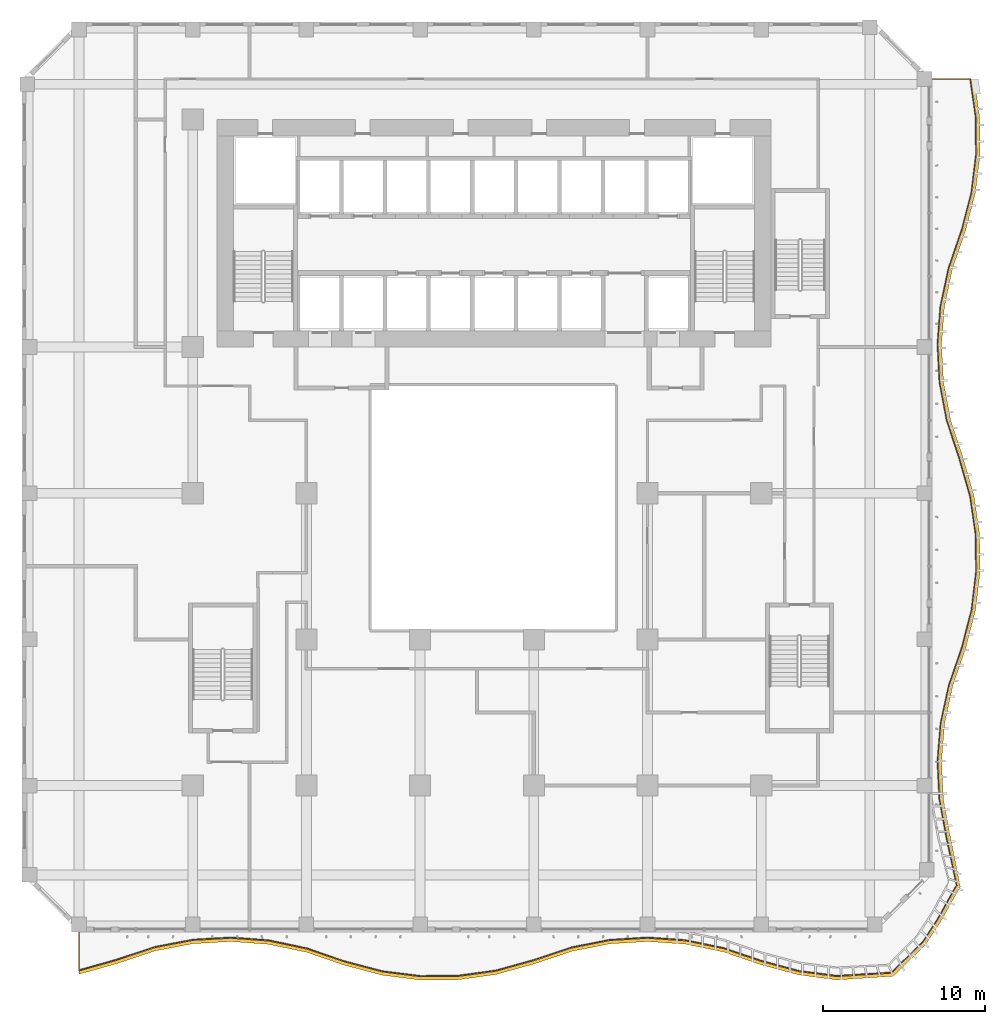
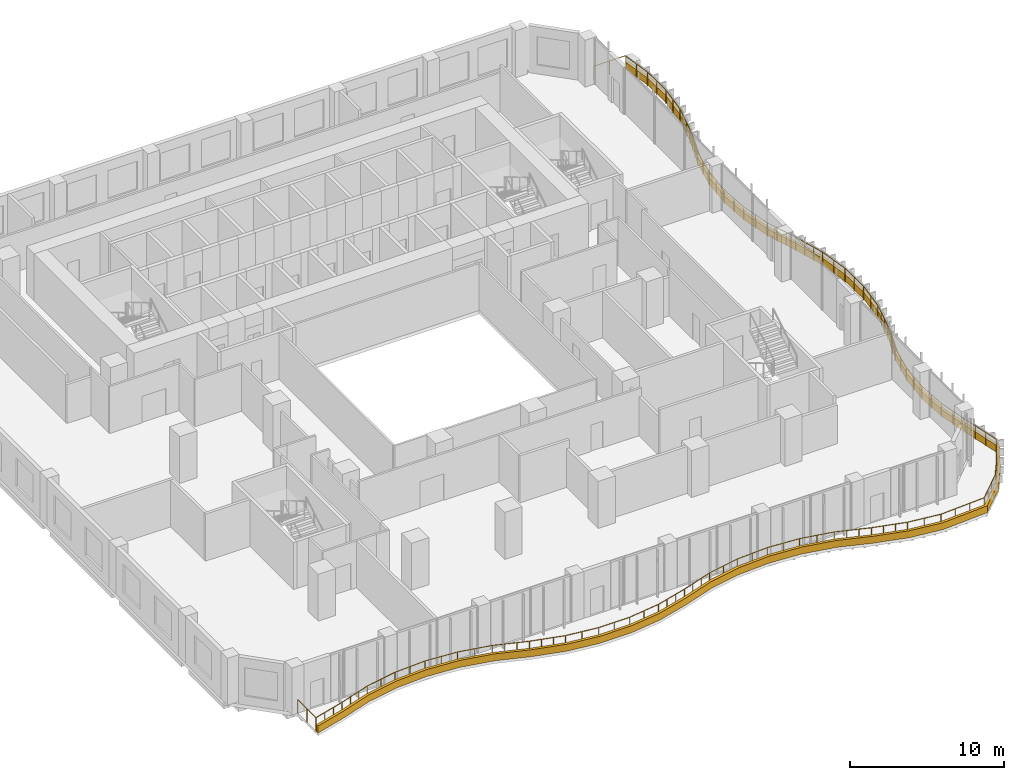
# One storey, part 20 of 26: 1 railing, 1 shading device.
"""IFC4 building model written with IfcOpenShell, lengths in metres."""

from ifc_helpers import new_model, si_unit, direction, frame, origin, origin_2d, place, context, subcontext, project, spatial, polyline, circle, outline, extrude, source, transform, mapped, material, layer, layer_set, type_object, element, save


model = new_model("IFC4")

# Units and contexts
model_context = context("Model", 3, precision=1e-05, world=origin(), true_north=direction((0.0, 1.0)))
body_context = subcontext(model_context, "Body", "Model", "MODEL_VIEW")
ifc_project = project(units=[si_unit("LENGTHUNIT", "METRE"), si_unit("AREAUNIT", "SQUARE_METRE"), si_unit("VOLUMEUNIT", "CUBIC_METRE"), si_unit("PLANEANGLEUNIT", "RADIAN"), si_unit("MASSUNIT", "GRAM", prefix="KILO")], contexts=[model_context])

# Site, building, storey
site_placement = place(None, origin())
site = spatial("IfcSite", under=ifc_project, at=site_placement, CompositionType="ELEMENT")
building_placement = place(site_placement, origin())
building = spatial("IfcBuilding", under=site, at=building_placement, Name="Kilnfold Tower and Market Hall", CompositionType="ELEMENT")
storey_placement = place(building_placement, frame((0.0, 0.0, 31.0)))
storey = spatial("IfcBuildingStorey", under=building, at=storey_placement, Name="L06", CompositionType="ELEMENT", Elevation=31.0)

# Railing
ifc_material_1 = material(Name="Stainless steel and laminated glass", Category="steel")
railing_type = type_object("IfcRailingType", Name="GUARD 1100", PredefinedType="GUARDRAIL", material=ifc_material_1)
railing_placement = place(storey_placement, frame((-24.5, -28.0, 0.0)))
element("IfcRailing", 1, at=railing_placement, inside=storey, type_object=railing_type, Name="Guard balcony L06", PredefinedType="GUARDRAIL", context=body_context, shape_type="SweptSolid", body=[
    extrude(circle(Radius=0.02490234375, at=origin_2d()), frame((0.0, 0.0, 1.0751953125), z_axis=(0.0, -1.0, 0.0), x_axis=(1.0, 0.0, 0.0)), (0.0, 0.0, 1.0), 2.3671875),
    extrude(circle(Radius=0.02490234375, at=origin_2d()), frame((0.0, -2.3671875, 1.0751953125), z_axis=(0.962306538751, 0.271967140438, 0.0), x_axis=(-0.271967140438, 0.962306538751, 0.0)), (0.0, 0.0, 1.0), 2.424560546875),
    extrude(circle(Radius=0.02490234375, at=origin_2d()), frame((2.333251953125, -1.707763671875, 1.0751953125), z_axis=(0.94906984056, 0.315065767325, 0.0), x_axis=(-0.315065767325, 0.94906984056, 0.0)), (0.0, 0.0, 1.0), 2.458740234375),
    extrude(circle(Radius=0.02490234375, at=origin_2d()), frame((4.666748046875, -0.93310546875, 1.0751953125), z_axis=(0.982061375955, 0.18856153865, 0.0), x_axis=(-0.18856153865, 0.982061375955, 0.0)), (0.0, 0.0, 1.0), 2.3759765625),
    extrude(circle(Radius=0.02490234375, at=origin_2d()), frame((7.0, -0.485107421875, 1.0751953125), z_axis=(0.99834213569, 0.057558492913, 0.0), x_axis=(-0.057558492913, 0.99834213569, 0.0)), (0.0, 0.0, 1.0), 2.337158203125),
    extrude(circle(Radius=0.02490234375, at=origin_2d()), frame((9.333251953125, -0.3505859375, 1.0751953125), z_axis=(0.997298415434, -0.073456589712, 0.0), x_axis=(0.073456589712, 0.997298415434, 0.0)), (0.0, 0.0, 1.0), 2.33984375),
    extrude(circle(Radius=0.02490234375, at=origin_2d()), frame((11.666748046875, -0.5224609375, 1.0751953125), z_axis=(0.978878895957, -0.204440962261, 0.0), x_axis=(0.204440962261, 0.978878895957, 0.0)), (0.0, 0.0, 1.0), 2.383544921875),
    extrude(circle(Radius=0.02490234375, at=origin_2d()), frame((14.0, -1.009765625, 1.0751953125), z_axis=(0.946391210256, -0.323022719248, 0.0), x_axis=(0.323022719248, 0.946391210256, 0.0)), (0.0, 0.0, 1.0), 2.46533203125),
    extrude(circle(Radius=0.02490234375, at=origin_2d()), frame((16.333251953125, -1.80615234375, 1.0751953125), z_axis=(0.966656645612, -0.25607602288, 0.0), x_axis=(0.25607602288, 0.966656645612, 0.0)), (0.0, 0.0, 1.0), 2.4140625),
    extrude(circle(Radius=0.02490234375, at=origin_2d()), frame((18.666748046875, -2.42431640625, 1.0751953125), z_axis=(0.992144748276, -0.125095157651, 0.0), x_axis=(0.125095157651, 0.992144748276, 0.0)), (0.0, 0.0, 1.0), 2.351806640625),
    extrude(circle(Radius=0.02490234375, at=origin_2d()), frame((21.0, -2.718505859375, 1.0751953125), z_axis=(0.999982214546, 0.005964108635, 0.0), x_axis=(-0.005964108635, 0.999982214546, 0.0)), (0.0, 0.0, 1.0), 2.333251953125),
    extrude(circle(Radius=0.02490234375, at=origin_2d()), frame((23.333251953125, -2.70458984375, 1.0751953125), z_axis=(0.990583845196, 0.136907434558, 0.0), x_axis=(-0.136907434558, 0.990583845196, 0.0)), (0.0, 0.0, 1.0), 2.355712890625),
    extrude(circle(Radius=0.02490234375, at=origin_2d()), frame((25.666748046875, -2.382080078125, 1.0751953125), z_axis=(0.963406621709, 0.268044177789, 0.0), x_axis=(-0.268044177789, 0.963406621709, 0.0)), (0.0, 0.0, 1.0), 2.421875),
    extrude(circle(Radius=0.02490234375, at=origin_2d()), frame((28.0, -1.73291015625, 1.0751953125), z_axis=(0.948285654044, 0.317418207313, 0.0), x_axis=(-0.317418207313, 0.948285654044, 0.0)), (0.0, 0.0, 1.0), 2.46044921875),
    extrude(circle(Radius=0.02490234375, at=origin_2d()), frame((30.333251953125, -0.951904296875, 1.0751953125), z_axis=(0.981277242242, 0.192600555184, 0.0), x_axis=(-0.192600555184, 0.981277242242, 0.0)), (0.0, 0.0, 1.0), 2.3779296875),
    extrude(circle(Radius=0.02490234375, at=origin_2d()), frame((32.666748046875, -0.493896484375, 1.0751953125), z_axis=(0.998106251115, 0.06151350653, 0.0), x_axis=(-0.06151350653, 0.998106251115, 0.0)), (0.0, 0.0, 1.0), 2.337646484375),
    extrude(circle(Radius=0.02490234375, at=origin_2d()), frame((35.0, -0.35009765625, 1.0751953125), z_axis=(0.997580659458, -0.069518543392, 0.0), x_axis=(0.069518543392, 0.997580659458, 0.0)), (0.0, 0.0, 1.0), 2.3388671875),
    extrude(circle(Radius=0.02490234375, at=origin_2d()), frame((37.333251953125, -0.5126953125, 1.0751953125), z_axis=(0.979715847017, -0.200391764063, 0.0), x_axis=(0.200391764063, 0.979715847017, 0.0)), (0.0, 0.0, 1.0), 2.3818359375),
    extrude(circle(Radius=0.02490234375, at=origin_2d()), frame((39.666748046875, -0.989990234375, 1.0751953125), z_axis=(0.94693508606, -0.321424863365, 0.0), x_axis=(0.321424863365, 0.94693508606, 0.0)), (0.0, 0.0, 1.0), 2.464111328125),
    extrude(circle(Radius=0.02490234375, at=origin_2d()), frame((42.0, -1.781982421875, 1.0751953125), z_axis=(0.965591366517, -0.260064055395, 0.0), x_axis=(0.260064055395, 0.965591366517, 0.0)), (0.0, 0.0, 1.0), 2.41650390625),
    extrude(circle(Radius=0.02490234375, at=origin_2d()), frame((44.333251953125, -2.410400390625, 1.0751953125), z_axis=(0.991636241788, -0.129064185476, 0.0), x_axis=(0.129064185476, 0.991636241788, 0.0)), (0.0, 0.0, 1.0), 2.353271484375),
    extrude(circle(Radius=0.02490234375, at=origin_2d()), frame((46.666748046875, -2.714111328125, 1.0751953125), z_axis=(0.998046947864, 0.062468310849, 0.0), x_axis=(-0.062468310849, 0.998046947864, 0.0)), (0.0, 0.0, 1.0), 3.376708984375),
    extrude(circle(Radius=0.02490234375, at=origin_2d()), frame((50.036865234375, -2.503173828125, 1.0751953125), z_axis=(0.711725581763, 0.702457611721, 0.0), x_axis=(-0.702457611721, 0.711725581763, 0.0)), (0.0, 0.0, 1.0), 2.68701171875),
    extrude(circle(Radius=0.02490234375, at=origin_2d()), frame((51.94921875, -0.61572265625, 1.0751953125), z_axis=(0.546015999668, 0.837774747833, 0.0), x_axis=(-0.837774747833, 0.546015999668, 0.0)), (0.0, 0.0, 1.0), 1.68603515625),
    extrude(circle(Radius=0.02490234375, at=origin_2d()), frame((52.869873046875, 0.796875, 1.0751953125), z_axis=(0.489186066845, 0.872179449428, 0.0), x_axis=(-0.872179449428, 0.489186066845, 0.0)), (0.0, 0.0, 1.0), 2.37255859375),
    extrude(circle(Radius=0.02490234375, at=origin_2d()), frame((54.030517578125, 2.8662109375, 1.0751953125), z_axis=(-0.208897070291, 0.977937632993, 0.0), x_axis=(-0.977937632993, -0.208897070291, 0.0)), (0.0, 0.0, 1.0), 3.033935546875),
    extrude(circle(Radius=0.02490234375, at=origin_2d()), frame((53.396728515625, 5.833251953125, 1.0751953125), z_axis=(-0.180596668273, 0.983557239518, 0.0), x_axis=(-0.983557239518, -0.180596668273, 0.0)), (0.0, 0.0, 1.0), 2.37255859375),
    extrude(circle(Radius=0.02490234375, at=origin_2d()), frame((52.96826171875, 8.166748046875, 1.0751953125), z_axis=(-0.049640514399, 0.998767149705, 0.0), x_axis=(-0.998767149705, -0.049640514399, 0.0)), (0.0, 0.0, 1.0), 2.336181640625),
    extrude(circle(Radius=0.02490234375, at=origin_2d()), frame((52.852294921875, 10.5, 1.0751953125), z_axis=(0.081345095449, 0.996685996413, 0.0), x_axis=(-0.996685996413, 0.081345095449, 0.0)), (0.0, 0.0, 1.0), 2.341064453125),
    extrude(circle(Radius=0.02490234375, at=origin_2d()), frame((53.042724609375, 12.833251953125, 1.0751953125), z_axis=(0.212348997132, 0.977193892437, 0.0), x_axis=(-0.977193892437, 0.212348997132, 0.0)), (0.0, 0.0, 1.0), 2.387939453125),
    extrude(circle(Radius=0.02490234375, at=origin_2d()), frame((53.5498046875, 15.166748046875, 1.0751953125), z_axis=(0.325679680723, 0.945480166669, 0.0), x_axis=(-0.945480166669, 0.325679680723, 0.0)), (0.0, 0.0, 1.0), 2.4677734375),
    extrude(circle(Radius=0.02490234375, at=origin_2d()), frame((54.353515625, 17.5, 1.0751953125), z_axis=(0.248136348904, 0.968725117024, 0.0), x_axis=(-0.968725117024, 0.248136348904, 0.0)), (0.0, 0.0, 1.0), 2.40869140625),
    extrude(circle(Radius=0.02490234375, at=origin_2d()), frame((54.951171875, 19.833251953125, 1.0751953125), z_axis=(0.117100473128, 0.993120072898, 0.0), x_axis=(-0.993120072898, 0.117100473128, 0.0)), (0.0, 0.0, 1.0), 2.349609375),
    extrude(circle(Radius=0.02490234375, at=origin_2d()), frame((55.226318359375, 22.166748046875, 1.0751953125), z_axis=(-0.013915153592, 0.999903179563, 0.0), x_axis=(-0.999903179563, -0.013915153592, 0.0)), (0.0, 0.0, 1.0), 2.33349609375),
    extrude(circle(Radius=0.02490234375, at=origin_2d()), frame((55.19384765625, 24.5, 1.0751953125), z_axis=(-0.144841207811, 0.989454912828, 0.0), x_axis=(-0.989454912828, -0.144841207811, 0.0)), (0.0, 0.0, 1.0), 2.358154296875),
    extrude(circle(Radius=0.02490234375, at=origin_2d()), frame((54.852294921875, 26.833251953125, 1.0751953125), z_axis=(-0.27594283235, 0.961174049418, 0.0), x_axis=(-0.961174049418, -0.27594283235, 0.0)), (0.0, 0.0, 1.0), 2.427734375),
    extrude(circle(Radius=0.02490234375, at=origin_2d()), frame((54.182373046875, 29.166748046875, 1.0751953125), z_axis=(-0.312498011214, 0.949918413858, 0.0), x_axis=(-0.949918413858, -0.312498011214, 0.0)), (0.0, 0.0, 1.0), 2.456298828125),
    extrude(circle(Radius=0.02490234375, at=origin_2d()), frame((53.414794921875, 31.5, 1.0751953125), z_axis=(-0.184592769099, 0.982815094306, 0.0), x_axis=(-0.982815094306, -0.184592769099, 0.0)), (0.0, 0.0, 1.0), 2.3740234375),
    extrude(circle(Radius=0.02490234375, at=origin_2d()), frame((52.9765625, 33.833251953125, 1.0751953125), z_axis=(-0.053595175618, 0.998562745725, 0.0), x_axis=(-0.998562745725, -0.053595175618, 0.0)), (0.0, 0.0, 1.0), 2.3369140625),
    extrude(circle(Radius=0.02490234375, at=origin_2d()), frame((52.851318359375, 36.166748046875, 1.0751953125), z_axis=(0.077406478613, 0.996999617386, 0.0), x_axis=(-0.996999617386, 0.077406478613, 0.0)), (0.0, 0.0, 1.0), 2.34033203125),
    extrude(circle(Radius=0.02490234375, at=origin_2d()), frame((53.032470703125, 38.5, 1.0751953125), z_axis=(0.20845967069, 0.978030963567, 0.0), x_axis=(-0.978030963567, 0.20845967069, 0.0)), (0.0, 0.0, 1.0), 2.3857421875),
    extrude(circle(Radius=0.02490234375, at=origin_2d()), frame((53.52978515625, 40.833251953125, 1.0751953125), z_axis=(0.324410348891, 0.945916447437, 0.0), x_axis=(-0.945916447437, 0.324410348891, 0.0)), (0.0, 0.0, 1.0), 2.466796875),
    extrude(circle(Radius=0.02490234375, at=origin_2d()), frame((54.330078125, 43.166748046875, 1.0751953125), z_axis=(0.25212510937, 0.967694646686, 0.0), x_axis=(-0.967694646686, 0.25212510937, 0.0)), (0.0, 0.0, 1.0), 2.4111328125),
    extrude(circle(Radius=0.02490234375, at=origin_2d()), frame((54.93798828125, 45.5, 1.0751953125), z_axis=(0.121004451058, 0.9926519646, 0.0), x_axis=(-0.9926519646, 0.121004451058, 0.0)), (0.0, 0.0, 1.0), 2.3505859375),
    extrude(circle(Radius=0.02490234375, at=origin_2d()), frame((55.222412109375, 47.833251953125, 1.0751953125), z_axis=(-0.009834217873, 0.99995164291, 0.0), x_axis=(-0.99995164291, -0.009834217873, 0.0)), (0.0, 0.0, 1.0), 2.33349609375),
    extrude(circle(Radius=0.02490234375, at=origin_2d()), frame((55.199462890625, 50.166748046875, 1.0751953125), z_axis=(-0.140986263734, 0.990011552174, 0.0), x_axis=(-0.990011552174, -0.140986263734, 0.0)), (0.0, 0.0, 1.0), 2.356689453125),
    extrude(circle(Radius=0.02490234375, at=origin_2d()), frame((54.8671875, 52.5, 1.0751953125), z_axis=(-1.0, 0.0, 0.0), x_axis=(0.0, -1.0, 0.0)), (0.0, 0.0, 1.0), 2.3671875),
    extrude(circle(Radius=0.02490234375, at=origin_2d()), origin(), (0.0, 0.0, 1.0), 1.050048828125),
    extrude(circle(Radius=0.02490234375, at=origin_2d()), frame((0.0, -1.18359375, 0.0)), (0.0, 0.0, 1.0), 1.050048828125),
    extrude(circle(Radius=0.02490234375, at=origin_2d()), frame((0.0, -2.3671875, 0.0)), (0.0, 0.0, 1.0), 1.050048828125),
    extrude(circle(Radius=0.02490234375, at=origin_2d()), frame((0.77783203125, -2.1474609375, 0.0)), (0.0, 0.0, 1.0), 1.050048828125),
    extrude(circle(Radius=0.02490234375, at=origin_2d()), frame((1.555419921875, -1.927490234375, 0.0)), (0.0, 0.0, 1.0), 1.050048828125),
    extrude(circle(Radius=0.02490234375, at=origin_2d()), frame((2.333251953125, -1.707763671875, 0.0)), (0.0, 0.0, 1.0), 1.050048828125),
    extrude(circle(Radius=0.02490234375, at=origin_2d()), frame((3.111083984375, -1.449462890625, 0.0)), (0.0, 0.0, 1.0), 1.050048828125),
    extrude(circle(Radius=0.02490234375, at=origin_2d()), frame((3.888916015625, -1.19140625, 0.0)), (0.0, 0.0, 1.0), 1.050048828125),
    extrude(circle(Radius=0.02490234375, at=origin_2d()), frame((4.666748046875, -0.93310546875, 0.0)), (0.0, 0.0, 1.0), 1.050048828125),
    extrude(circle(Radius=0.02490234375, at=origin_2d()), frame((5.83349609375, -0.708984375, 0.0)), (0.0, 0.0, 1.0), 1.050048828125),
    extrude(circle(Radius=0.02490234375, at=origin_2d()), frame((7.0, -0.485107421875, 0.0)), (0.0, 0.0, 1.0), 1.050048828125),
    extrude(circle(Radius=0.02490234375, at=origin_2d()), frame((8.16650390625, -0.41796875, 0.0)), (0.0, 0.0, 1.0), 1.050048828125),
    extrude(circle(Radius=0.02490234375, at=origin_2d()), frame((9.333251953125, -0.3505859375, 0.0)), (0.0, 0.0, 1.0), 1.050048828125),
    extrude(circle(Radius=0.02490234375, at=origin_2d()), frame((10.5, -0.4365234375, 0.0)), (0.0, 0.0, 1.0), 1.050048828125),
    extrude(circle(Radius=0.02490234375, at=origin_2d()), frame((11.666748046875, -0.5224609375, 0.0)), (0.0, 0.0, 1.0), 1.050048828125),
    extrude(circle(Radius=0.02490234375, at=origin_2d()), frame((12.83349609375, -0.76611328125, 0.0)), (0.0, 0.0, 1.0), 1.050048828125),
    extrude(circle(Radius=0.02490234375, at=origin_2d()), frame((14.0, -1.009765625, 0.0)), (0.0, 0.0, 1.0), 1.050048828125),
    extrude(circle(Radius=0.02490234375, at=origin_2d()), frame((14.77783203125, -1.275146484375, 0.0)), (0.0, 0.0, 1.0), 1.050048828125),
    extrude(circle(Radius=0.02490234375, at=origin_2d()), frame((15.555419921875, -1.540771484375, 0.0)), (0.0, 0.0, 1.0), 1.050048828125),
    extrude(circle(Radius=0.02490234375, at=origin_2d()), frame((16.333251953125, -1.80615234375, 0.0)), (0.0, 0.0, 1.0), 1.050048828125),
    extrude(circle(Radius=0.02490234375, at=origin_2d()), frame((17.111083984375, -2.01220703125, 0.0)), (0.0, 0.0, 1.0), 1.050048828125),
    extrude(circle(Radius=0.02490234375, at=origin_2d()), frame((17.888916015625, -2.21826171875, 0.0)), (0.0, 0.0, 1.0), 1.050048828125),
    extrude(circle(Radius=0.02490234375, at=origin_2d()), frame((18.666748046875, -2.42431640625, 0.0)), (0.0, 0.0, 1.0), 1.050048828125),
    extrude(circle(Radius=0.02490234375, at=origin_2d()), frame((19.83349609375, -2.5712890625, 0.0)), (0.0, 0.0, 1.0), 1.050048828125),
    extrude(circle(Radius=0.02490234375, at=origin_2d()), frame((21.0, -2.718505859375, 0.0)), (0.0, 0.0, 1.0), 1.050048828125),
    extrude(circle(Radius=0.02490234375, at=origin_2d()), frame((22.16650390625, -2.71142578125, 0.0)), (0.0, 0.0, 1.0), 1.050048828125),
    extrude(circle(Radius=0.02490234375, at=origin_2d()), frame((23.333251953125, -2.70458984375, 0.0)), (0.0, 0.0, 1.0), 1.050048828125),
    extrude(circle(Radius=0.02490234375, at=origin_2d()), frame((24.5, -2.54345703125, 0.0)), (0.0, 0.0, 1.0), 1.050048828125),
    extrude(circle(Radius=0.02490234375, at=origin_2d()), frame((25.666748046875, -2.382080078125, 0.0)), (0.0, 0.0, 1.0), 1.050048828125),
    extrude(circle(Radius=0.02490234375, at=origin_2d()), frame((26.444580078125, -2.165771484375, 0.0)), (0.0, 0.0, 1.0), 1.050048828125),
    extrude(circle(Radius=0.02490234375, at=origin_2d()), frame((27.22216796875, -1.94921875, 0.0)), (0.0, 0.0, 1.0), 1.050048828125),
    extrude(circle(Radius=0.02490234375, at=origin_2d()), frame((28.0, -1.73291015625, 0.0)), (0.0, 0.0, 1.0), 1.050048828125),
    extrude(circle(Radius=0.02490234375, at=origin_2d()), frame((28.77783203125, -1.47265625, 0.0)), (0.0, 0.0, 1.0), 1.050048828125),
    extrude(circle(Radius=0.02490234375, at=origin_2d()), frame((29.555419921875, -1.212158203125, 0.0)), (0.0, 0.0, 1.0), 1.050048828125),
    extrude(circle(Radius=0.02490234375, at=origin_2d()), frame((30.333251953125, -0.951904296875, 0.0)), (0.0, 0.0, 1.0), 1.050048828125),
    extrude(circle(Radius=0.02490234375, at=origin_2d()), frame((31.5, -0.722900390625, 0.0)), (0.0, 0.0, 1.0), 1.050048828125),
    extrude(circle(Radius=0.02490234375, at=origin_2d()), frame((32.666748046875, -0.493896484375, 0.0)), (0.0, 0.0, 1.0), 1.050048828125),
    extrude(circle(Radius=0.02490234375, at=origin_2d()), frame((33.83349609375, -0.421875, 0.0)), (0.0, 0.0, 1.0), 1.050048828125),
    extrude(circle(Radius=0.02490234375, at=origin_2d()), frame((35.0, -0.35009765625, 0.0)), (0.0, 0.0, 1.0), 1.050048828125),
    extrude(circle(Radius=0.02490234375, at=origin_2d()), frame((36.16650390625, -0.431396484375, 0.0)), (0.0, 0.0, 1.0), 1.050048828125),
    extrude(circle(Radius=0.02490234375, at=origin_2d()), frame((37.333251953125, -0.5126953125, 0.0)), (0.0, 0.0, 1.0), 1.050048828125),
    extrude(circle(Radius=0.02490234375, at=origin_2d()), frame((38.5, -0.75146484375, 0.0)), (0.0, 0.0, 1.0), 1.050048828125),
    extrude(circle(Radius=0.02490234375, at=origin_2d()), frame((39.666748046875, -0.989990234375, 0.0)), (0.0, 0.0, 1.0), 1.050048828125),
    extrude(circle(Radius=0.02490234375, at=origin_2d()), frame((40.444580078125, -1.25390625, 0.0)), (0.0, 0.0, 1.0), 1.050048828125),
    extrude(circle(Radius=0.02490234375, at=origin_2d()), frame((41.22216796875, -1.51806640625, 0.0)), (0.0, 0.0, 1.0), 1.050048828125),
    extrude(circle(Radius=0.02490234375, at=origin_2d()), frame((42.0, -1.781982421875, 0.0)), (0.0, 0.0, 1.0), 1.050048828125),
    extrude(circle(Radius=0.02490234375, at=origin_2d()), frame((42.77783203125, -1.991455078125, 0.0)), (0.0, 0.0, 1.0), 1.050048828125),
    extrude(circle(Radius=0.02490234375, at=origin_2d()), frame((43.555419921875, -2.200927734375, 0.0)), (0.0, 0.0, 1.0), 1.050048828125),
    extrude(circle(Radius=0.02490234375, at=origin_2d()), frame((44.333251953125, -2.410400390625, 0.0)), (0.0, 0.0, 1.0), 1.050048828125),
    extrude(circle(Radius=0.02490234375, at=origin_2d()), frame((45.5, -2.562255859375, 0.0)), (0.0, 0.0, 1.0), 1.050048828125),
    extrude(circle(Radius=0.02490234375, at=origin_2d()), frame((46.666748046875, -2.714111328125, 0.0)), (0.0, 0.0, 1.0), 1.050048828125),
    extrude(circle(Radius=0.02490234375, at=origin_2d()), frame((47.7900390625, -2.643798828125, 0.0)), (0.0, 0.0, 1.0), 1.050048828125),
    extrude(circle(Radius=0.02490234375, at=origin_2d()), frame((48.91357421875, -2.573486328125, 0.0)), (0.0, 0.0, 1.0), 1.050048828125),
    extrude(circle(Radius=0.02490234375, at=origin_2d()), frame((50.036865234375, -2.503173828125, 0.0)), (0.0, 0.0, 1.0), 1.050048828125),
    extrude(circle(Radius=0.02490234375, at=origin_2d()), frame((50.67431640625, -1.8740234375, 0.0)), (0.0, 0.0, 1.0), 1.050048828125),
    extrude(circle(Radius=0.02490234375, at=origin_2d()), frame((51.311767578125, -1.244873046875, 0.0)), (0.0, 0.0, 1.0), 1.050048828125),
    extrude(circle(Radius=0.02490234375, at=origin_2d()), frame((51.94921875, -0.61572265625, 0.0)), (0.0, 0.0, 1.0), 1.050048828125),
    extrude(circle(Radius=0.02490234375, at=origin_2d()), frame((52.40966796875, 0.090576171875, 0.0)), (0.0, 0.0, 1.0), 1.050048828125),
    extrude(circle(Radius=0.02490234375, at=origin_2d()), frame((52.869873046875, 0.796875, 0.0)), (0.0, 0.0, 1.0), 1.050048828125),
    extrude(circle(Radius=0.02490234375, at=origin_2d()), frame((53.4501953125, 1.83154296875, 0.0)), (0.0, 0.0, 1.0), 1.050048828125),
    extrude(circle(Radius=0.02490234375, at=origin_2d()), frame((54.030517578125, 2.8662109375, 0.0)), (0.0, 0.0, 1.0), 1.050048828125),
    extrude(circle(Radius=0.02490234375, at=origin_2d()), frame((53.8193359375, 3.855224609375, 0.0)), (0.0, 0.0, 1.0), 1.050048828125),
    extrude(circle(Radius=0.02490234375, at=origin_2d()), frame((53.60791015625, 4.84423828125, 0.0)), (0.0, 0.0, 1.0), 1.050048828125),
    extrude(circle(Radius=0.02490234375, at=origin_2d()), frame((53.396728515625, 5.833251953125, 0.0)), (0.0, 0.0, 1.0), 1.050048828125),
    extrude(circle(Radius=0.02490234375, at=origin_2d()), frame((53.1826171875, 7.0, 0.0)), (0.0, 0.0, 1.0), 1.050048828125),
    extrude(circle(Radius=0.02490234375, at=origin_2d()), frame((52.96826171875, 8.166748046875, 0.0)), (0.0, 0.0, 1.0), 1.050048828125),
    extrude(circle(Radius=0.02490234375, at=origin_2d()), frame((52.91015625, 9.33349609375, 0.0)), (0.0, 0.0, 1.0), 1.050048828125),
    extrude(circle(Radius=0.02490234375, at=origin_2d()), frame((52.852294921875, 10.5, 0.0)), (0.0, 0.0, 1.0), 1.050048828125),
    extrude(circle(Radius=0.02490234375, at=origin_2d()), frame((52.947509765625, 11.66650390625, 0.0)), (0.0, 0.0, 1.0), 1.050048828125),
    extrude(circle(Radius=0.02490234375, at=origin_2d()), frame((53.042724609375, 12.833251953125, 0.0)), (0.0, 0.0, 1.0), 1.050048828125),
    extrude(circle(Radius=0.02490234375, at=origin_2d()), frame((53.29638671875, 14.0, 0.0)), (0.0, 0.0, 1.0), 1.050048828125),
    extrude(circle(Radius=0.02490234375, at=origin_2d()), frame((53.5498046875, 15.166748046875, 0.0)), (0.0, 0.0, 1.0), 1.050048828125),
    extrude(circle(Radius=0.02490234375, at=origin_2d()), frame((53.817626953125, 15.944580078125, 0.0)), (0.0, 0.0, 1.0), 1.050048828125),
    extrude(circle(Radius=0.02490234375, at=origin_2d()), frame((54.085693359375, 16.72216796875, 0.0)), (0.0, 0.0, 1.0), 1.050048828125),
    extrude(circle(Radius=0.02490234375, at=origin_2d()), frame((54.353515625, 17.5, 0.0)), (0.0, 0.0, 1.0), 1.050048828125),
    extrude(circle(Radius=0.02490234375, at=origin_2d()), frame((54.552734375, 18.27783203125, 0.0)), (0.0, 0.0, 1.0), 1.050048828125),
    extrude(circle(Radius=0.02490234375, at=origin_2d()), frame((54.751953125, 19.055419921875, 0.0)), (0.0, 0.0, 1.0), 1.050048828125),
    extrude(circle(Radius=0.02490234375, at=origin_2d()), frame((54.951171875, 19.833251953125, 0.0)), (0.0, 0.0, 1.0), 1.050048828125),
    extrude(circle(Radius=0.02490234375, at=origin_2d()), frame((55.0888671875, 21.0, 0.0)), (0.0, 0.0, 1.0), 1.050048828125),
    extrude(circle(Radius=0.02490234375, at=origin_2d()), frame((55.226318359375, 22.166748046875, 0.0)), (0.0, 0.0, 1.0), 1.050048828125),
    extrude(circle(Radius=0.02490234375, at=origin_2d()), frame((55.2099609375, 23.33349609375, 0.0)), (0.0, 0.0, 1.0), 1.050048828125),
    extrude(circle(Radius=0.02490234375, at=origin_2d()), frame((55.19384765625, 24.5, 0.0)), (0.0, 0.0, 1.0), 1.050048828125),
    extrude(circle(Radius=0.02490234375, at=origin_2d()), frame((55.02294921875, 25.66650390625, 0.0)), (0.0, 0.0, 1.0), 1.050048828125),
    extrude(circle(Radius=0.02490234375, at=origin_2d()), frame((54.852294921875, 26.833251953125, 0.0)), (0.0, 0.0, 1.0), 1.050048828125),
    extrude(circle(Radius=0.02490234375, at=origin_2d()), frame((54.62890625, 27.611083984375, 0.0)), (0.0, 0.0, 1.0), 1.050048828125),
    extrude(circle(Radius=0.02490234375, at=origin_2d()), frame((54.40576171875, 28.388916015625, 0.0)), (0.0, 0.0, 1.0), 1.050048828125),
    extrude(circle(Radius=0.02490234375, at=origin_2d()), frame((54.182373046875, 29.166748046875, 0.0)), (0.0, 0.0, 1.0), 1.050048828125),
    extrude(circle(Radius=0.02490234375, at=origin_2d()), frame((53.926513671875, 29.944580078125, 0.0)), (0.0, 0.0, 1.0), 1.050048828125),
    extrude(circle(Radius=0.02490234375, at=origin_2d()), frame((53.670654296875, 30.72216796875, 0.0)), (0.0, 0.0, 1.0), 1.050048828125),
    extrude(circle(Radius=0.02490234375, at=origin_2d()), frame((53.414794921875, 31.5, 0.0)), (0.0, 0.0, 1.0), 1.050048828125),
    extrude(circle(Radius=0.02490234375, at=origin_2d()), frame((53.19580078125, 32.66650390625, 0.0)), (0.0, 0.0, 1.0), 1.050048828125),
    extrude(circle(Radius=0.02490234375, at=origin_2d()), frame((52.9765625, 33.833251953125, 0.0)), (0.0, 0.0, 1.0), 1.050048828125),
    extrude(circle(Radius=0.02490234375, at=origin_2d()), frame((52.9140625, 35.0, 0.0)), (0.0, 0.0, 1.0), 1.050048828125),
    extrude(circle(Radius=0.02490234375, at=origin_2d()), frame((52.851318359375, 36.166748046875, 0.0)), (0.0, 0.0, 1.0), 1.050048828125),
    extrude(circle(Radius=0.02490234375, at=origin_2d()), frame((52.94189453125, 37.33349609375, 0.0)), (0.0, 0.0, 1.0), 1.050048828125),
    extrude(circle(Radius=0.02490234375, at=origin_2d()), frame((53.032470703125, 38.5, 0.0)), (0.0, 0.0, 1.0), 1.050048828125),
    extrude(circle(Radius=0.02490234375, at=origin_2d()), frame((53.28125, 39.66650390625, 0.0)), (0.0, 0.0, 1.0), 1.050048828125),
    extrude(circle(Radius=0.02490234375, at=origin_2d()), frame((53.52978515625, 40.833251953125, 0.0)), (0.0, 0.0, 1.0), 1.050048828125),
    extrude(circle(Radius=0.02490234375, at=origin_2d()), frame((53.796630859375, 41.611083984375, 0.0)), (0.0, 0.0, 1.0), 1.050048828125),
    extrude(circle(Radius=0.02490234375, at=origin_2d()), frame((54.063232421875, 42.388916015625, 0.0)), (0.0, 0.0, 1.0), 1.050048828125),
    extrude(circle(Radius=0.02490234375, at=origin_2d()), frame((54.330078125, 43.166748046875, 0.0)), (0.0, 0.0, 1.0), 1.050048828125),
    extrude(circle(Radius=0.02490234375, at=origin_2d()), frame((54.53271484375, 43.944580078125, 0.0)), (0.0, 0.0, 1.0), 1.050048828125),
    extrude(circle(Radius=0.02490234375, at=origin_2d()), frame((54.7353515625, 44.72216796875, 0.0)), (0.0, 0.0, 1.0), 1.050048828125),
    extrude(circle(Radius=0.02490234375, at=origin_2d()), frame((54.93798828125, 45.5, 0.0)), (0.0, 0.0, 1.0), 1.050048828125),
    extrude(circle(Radius=0.02490234375, at=origin_2d()), frame((55.080078125, 46.66650390625, 0.0)), (0.0, 0.0, 1.0), 1.050048828125),
    extrude(circle(Radius=0.02490234375, at=origin_2d()), frame((55.222412109375, 47.833251953125, 0.0)), (0.0, 0.0, 1.0), 1.050048828125),
    extrude(circle(Radius=0.02490234375, at=origin_2d()), frame((55.2109375, 49.0, 0.0)), (0.0, 0.0, 1.0), 1.050048828125),
    extrude(circle(Radius=0.02490234375, at=origin_2d()), frame((55.199462890625, 50.166748046875, 0.0)), (0.0, 0.0, 1.0), 1.050048828125),
    extrude(circle(Radius=0.02490234375, at=origin_2d()), frame((55.033203125, 51.33349609375, 0.0)), (0.0, 0.0, 1.0), 1.050048828125),
    extrude(circle(Radius=0.02490234375, at=origin_2d()), frame((54.8671875, 52.5, 0.0)), (0.0, 0.0, 1.0), 1.050048828125),
    extrude(circle(Radius=0.02490234375, at=origin_2d()), frame((53.68359375, 52.5, 0.0)), (0.0, 0.0, 1.0), 1.050048828125),
    extrude(circle(Radius=0.02490234375, at=origin_2d()), frame((52.5, 52.5, 0.0)), (0.0, 0.0, 1.0), 1.050048828125),
])

# Shading device
ifc_material_2 = material(Name="Precast concrete C50/60", Category="concrete")
ifc_layer = layer(ifc_material_2, 0.550048828125)
ifc_layer_set = layer_set([ifc_layer], Name="Precast concrete C50/60")
shading_device_type = type_object("IfcShadingDeviceType", Name="BALCONY UPSTAND 550", PredefinedType="USERDEFINED", material=ifc_layer_set)
shared_shape = source(origin(), body_context, "Body", "SweptSolid", [
    extrude(outline(polyline([(-24.5, -30.6171875), (-22.166748046875, -29.957763671875), (-19.833251953125, -29.18310546875), (-17.5, -28.735107421875), (-15.166748046875, -28.6005859375), (-12.833251953125, -28.7724609375), (-10.5, -29.259765625), (-8.166748046875, -30.05615234375), (-5.833251953125, -30.67431640625), (-3.5, -30.968505859375), (-1.166748046875, -30.95458984375), (1.166748046875, -30.632080078125), (3.5, -29.98291015625), (5.833251953125, -29.201904296875), (8.166748046875, -28.743896484375), (10.5, -28.60009765625), (12.833251953125, -28.7626953125), (15.166748046875, -29.239990234375), (17.5, -30.031982421875), (19.833251953125, -30.660400390625), (22.166748046875, -30.964111328125), (25.632568359375, -30.734130859375), (27.6259765625, -28.79248046875), (28.546630859375, -27.3798828125), (29.761474609375, -25.2294921875), (29.146728515625, -22.166748046875), (28.71826171875, -19.833251953125), (28.602294921875, -17.5), (28.792724609375, -15.166748046875), (29.2998046875, -12.833251953125), (30.103515625, -10.5), (30.701171875, -8.166748046875), (30.976318359375, -5.833251953125), (30.94384765625, -3.5), (30.602294921875, -1.166748046875), (29.932373046875, 1.166748046875), (29.164794921875, 3.5), (28.7265625, 5.833251953125), (28.601318359375, 8.166748046875), (28.782470703125, 10.5), (29.27978515625, 12.833251953125), (30.080078125, 15.166748046875), (30.68798828125, 17.5), (30.972412109375, 19.833251953125), (30.949462890625, 22.166748046875), (30.6171875, 24.5), (30.417236328125, 24.5), (30.74951171875, 22.166748046875), (30.7724609375, 19.833251953125), (30.48779296875, 17.5), (29.880126953125, 15.166748046875), (29.07958984375, 12.833251953125), (28.58251953125, 10.5), (28.4013671875, 8.166748046875), (28.526611328125, 5.833251953125), (28.964599609375, 3.5), (29.732421875, 1.166748046875), (30.402099609375, -1.166748046875), (30.743896484375, -3.5), (30.7763671875, -5.833251953125), (30.501220703125, -8.166748046875), (29.903564453125, -10.5), (29.099853515625, -12.833251953125), (28.5927734375, -15.166748046875), (28.402099609375, -17.5), (28.518310546875, -19.833251953125), (28.94677734375, -22.166748046875), (29.57666015625, -25.153076171875), (28.4052734375, -27.238525390625), (27.484619140625, -28.651123046875), (25.555908203125, -30.54931640625), (22.166748046875, -30.76416015625), (19.833251953125, -30.46044921875), (17.5, -29.83203125), (15.166748046875, -29.0400390625), (12.833251953125, -28.5625), (10.5, -28.400146484375), (8.166748046875, -28.5439453125), (5.833251953125, -29.001708984375), (3.5, -29.782958984375), (1.166748046875, -30.431884765625), (-1.166748046875, -30.754638671875), (-3.5, -30.7685546875), (-5.833251953125, -30.474365234375), (-8.166748046875, -29.856201171875), (-10.5, -29.059814453125), (-12.833251953125, -28.572509765625), (-15.166748046875, -28.400634765625), (-17.5, -28.53515625), (-19.833251953125, -28.983154296875), (-22.166748046875, -29.7578125), (-24.5, -30.417236328125), (-24.5, -30.6171875)])), origin(), (0.0, 0.0, 1.0), 0.550048828125),
])
shading_device_placement = place(storey_placement, origin())
element("IfcShadingDevice", 2, at=shading_device_placement, inside=storey, type_object=shading_device_type, Name="Balcony fascia L06", ObjectType="FASCIA", PredefinedType="USERDEFINED", context=body_context, shape_type="MappedRepresentation", body=[
    mapped(shared_shape, transform((0.0, 0.0, 0.0))),
])

save(model, "model.ifc")
